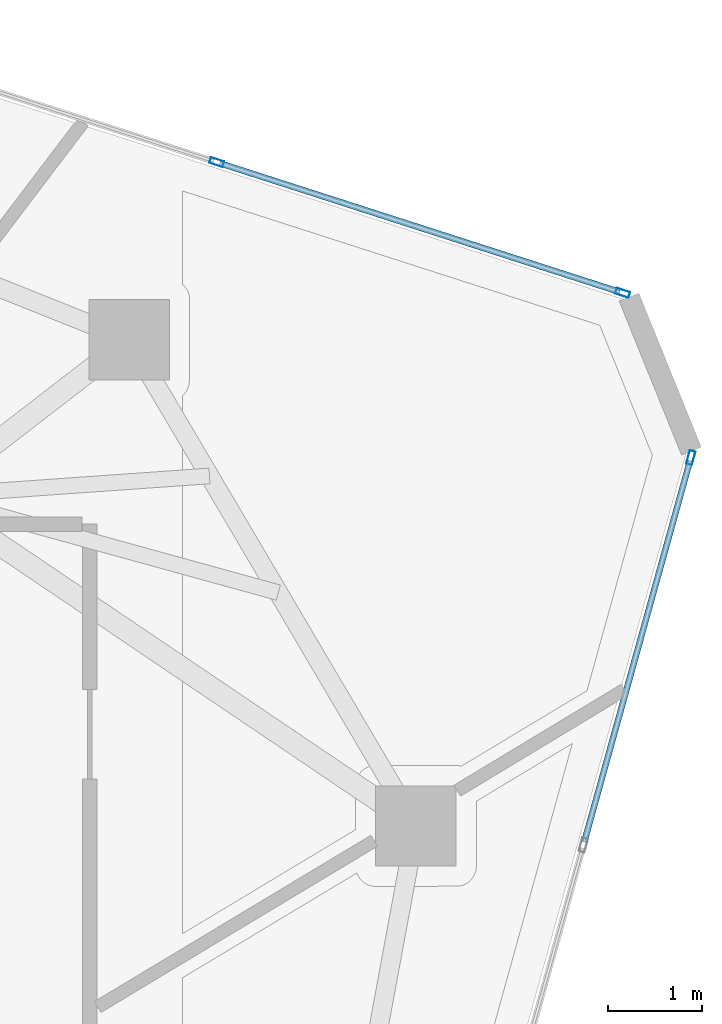
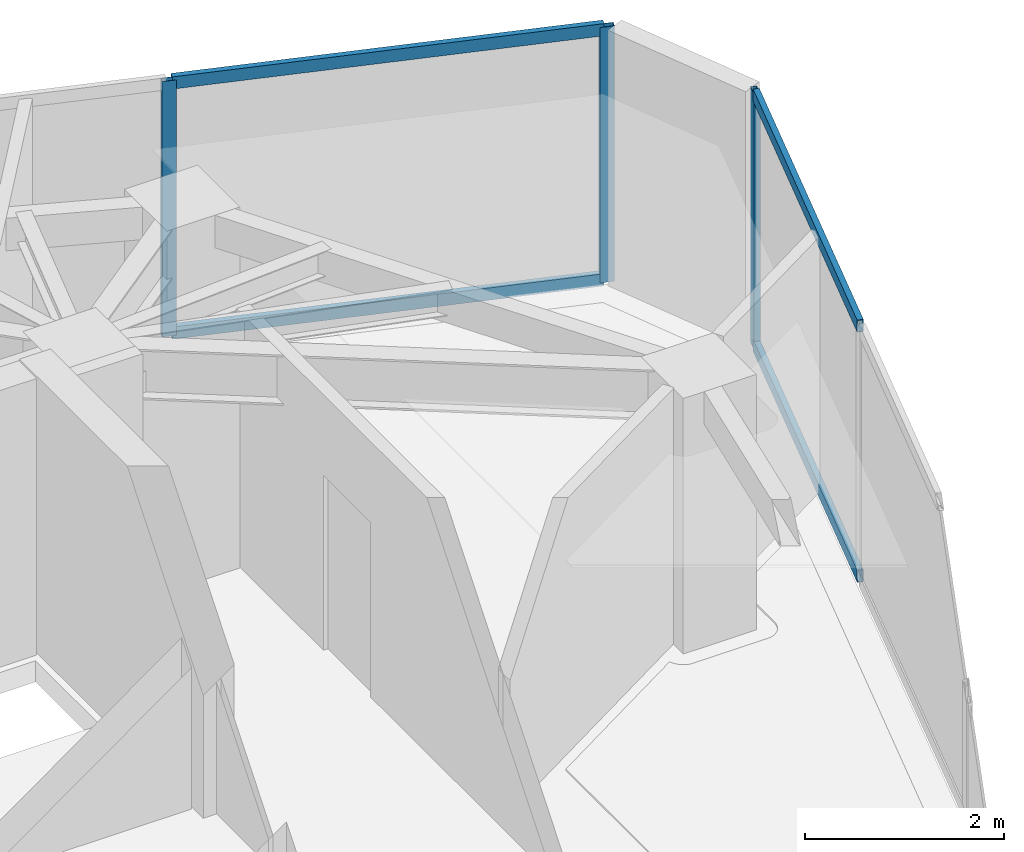
# One storey, part 14 of 20: 7 members, 2 elements without a shape of their own.
"""IFC4 building model written with IfcOpenShell, lengths in metres."""

from ifc_helpers import new_model, si_unit, direction, frame, origin, origin_2d, place, context, subcontext, project, spatial, hollow_rectangle, extrude, source, transform, mapped, material, layer, layer_set, material_profile, profile_set, type_object, type_shapes, element, aggregate, save


model = new_model("IFC4")

# Units and contexts
model_context = context("Model", 3, precision=1e-05, world=origin(), true_north=direction((0.0, 1.0)))
body_context = subcontext(model_context, "Body", "Model", "MODEL_VIEW")
ifc_project = project(units=[si_unit("LENGTHUNIT", "METRE"), si_unit("AREAUNIT", "SQUARE_METRE"), si_unit("VOLUMEUNIT", "CUBIC_METRE"), si_unit("PLANEANGLEUNIT", "RADIAN"), si_unit("MASSUNIT", "GRAM", prefix="KILO")], contexts=[model_context])

# Site, building, storey
site_placement = place(None, origin())
site = spatial("IfcSite", under=ifc_project, at=site_placement, CompositionType="ELEMENT")
building_placement = place(site_placement, origin())
building = spatial("IfcBuilding", under=site, at=building_placement, Name="Talar Marvaseh", CompositionType="ELEMENT")
storey_placement = place(building_placement, frame((0.0, 0.0, 254.39990234375)))
storey = spatial("IfcBuildingStorey", under=building, at=storey_placement, Name="L67", CompositionType="ELEMENT", Elevation=254.39990234375)

# Curtain wall, members
ifc_material = material(Name="Architectural Aluminium", Category="aluminium")
ifc_layer = layer(ifc_material, 0.179931640625)
ifc_layer_set = layer_set([ifc_layer], Name="Architectural Aluminium")
curtain_wall_type = type_object("IfcCurtainWallType", Name="Unitised High-Wind Sky Curtain Wall Z4", PredefinedType="NOTDEFINED", material=ifc_layer_set)
curtain_wall_1_placement = place(storey_placement, origin())
curtain_wall_1 = element("IfcCurtainWall", 1, at=curtain_wall_1_placement, inside=storey, type_object=curtain_wall_type, Name="L67 Unitised High-Wind Sky Curtain Wall Z4", PredefinedType="NOTDEFINED")
ifc_material_profile_1 = material_profile(ifc_material, hollow_rectangle(XDim=0.06494140625, YDim=0.14990234375, WallThickness=0.00390625, at=origin_2d()), Name="RHS150x65x4")
ifc_profile_set_1 = profile_set([ifc_material_profile_1], Name="Architectural Aluminium")
member_type_1 = type_object("IfcMemberType", Name="Unitised Curtain Wall Slim Transom RHS150x65x4", PredefinedType="USERDEFINED", material=ifc_profile_set_1)
shared_shape_1 = source(origin(), body_context, "Body", "SweptSolid", [
    extrude(hollow_rectangle(XDim=0.06494140625, YDim=0.14990234375, WallThickness=0.00390625, at=origin_2d()), origin(), (0.0, 0.0, 1.0), 4.447265625),
])
member_1_placement = place(storey_placement, frame((36.39453125, 40.419921875, 0.03271484375), z_axis=(0.951893672689, -0.306428516779, 0.0), x_axis=(0.306428516779, 0.951893672689, 0.0)))
member_1 = element("IfcMember", 2, at=member_1_placement, type_object=member_type_1, Name="CW-Z4 transom 3.1", ObjectType="TRANSOM", PredefinedType="USERDEFINED", context=body_context, shape_type="MappedRepresentation", body=[
    mapped(shared_shape_1, transform((0.0, 0.0, 0.0), x_axis=(1.0, 0.0, 0.0), y_axis=(0.0, 1.0, 0.0), z_axis=(0.0, 0.0, 1.0), scale=1.0)),
])
member_2_placement = place(storey_placement, frame((36.39453125, 40.419921875, 3.107666015625), z_axis=(0.951893672689, -0.306428516779, 0.0), x_axis=(0.306428516779, 0.951893672689, 0.0)))
member_2 = element("IfcMember", 3, at=member_2_placement, type_object=member_type_1, Name="CW-Z4 transom 3.2", ObjectType="TRANSOM", PredefinedType="USERDEFINED", context=body_context, shape_type="MappedRepresentation", body=[
    mapped(shared_shape_1, transform((0.0, 0.0, 0.0), x_axis=(1.0, 0.0, 0.0), y_axis=(0.0, 1.0, 0.0), z_axis=(0.0, 0.0, 1.0), scale=1.0)),
])

curtain_wall_2_placement = place(storey_placement, origin())
curtain_wall_2 = element("IfcCurtainWall", 4, at=curtain_wall_2_placement, inside=storey, type_object=curtain_wall_type, Name="L67 Unitised High-Wind Sky Curtain Wall Z4", PredefinedType="NOTDEFINED")
shared_shape_2 = source(origin(), body_context, "Body", "SweptSolid", [
    extrude(hollow_rectangle(XDim=0.06494140625, YDim=0.14990234375, WallThickness=0.00390625, at=origin_2d()), origin(), (0.0, 0.0, 1.0), 4.188720703125),
])
type_shapes(member_type_1, [shared_shape_1, shared_shape_2])
member_3_placement = place(storey_placement, frame((41.372314453125, 37.272216796875, 0.03271484375), z_axis=(-0.26736127015, -0.963596363227, 0.0), x_axis=(0.963596363227, -0.26736127015, 0.0)))
member_3 = element("IfcMember", 5, at=member_3_placement, type_object=member_type_1, Name="CW-Z4 transom 1.1", ObjectType="TRANSOM", PredefinedType="USERDEFINED", context=body_context, shape_type="MappedRepresentation", body=[
    mapped(shared_shape_2, transform((0.0, 0.0, 0.0), x_axis=(1.0, 0.0, 0.0), y_axis=(0.0, 1.0, 0.0), z_axis=(0.0, 0.0, 1.0), scale=1.0)),
])
member_4_placement = place(storey_placement, frame((41.372314453125, 37.272216796875, 3.107666015625), z_axis=(-0.26736127015, -0.963596363227, 0.0), x_axis=(0.963596363227, -0.26736127015, 0.0)))
member_4 = element("IfcMember", 6, at=member_4_placement, type_object=member_type_1, Name="CW-Z4 transom 1.2", ObjectType="TRANSOM", PredefinedType="USERDEFINED", context=body_context, shape_type="MappedRepresentation", body=[
    mapped(shared_shape_2, transform((0.0, 0.0, 0.0), x_axis=(1.0, 0.0, 0.0), y_axis=(0.0, 1.0, 0.0), z_axis=(0.0, 0.0, 1.0), scale=1.0)),
])

# Member
ifc_material_profile_2 = material_profile(ifc_material, hollow_rectangle(XDim=0.06494140625, YDim=0.14990234375, WallThickness=0.00390625, at=origin_2d()), Name="RHS150x65x4")
ifc_profile_set_2 = profile_set([ifc_material_profile_2], Name="Architectural Aluminium")
member_type_2 = type_object("IfcMemberType", Name="Unitised Curtain Wall Slim Mullion RHS150x65x4", PredefinedType="MULLION", material=ifc_profile_set_2)
shared_shape_3 = source(origin(), body_context, "Body", "SweptSolid", [
    extrude(hollow_rectangle(XDim=0.06494140625, YDim=0.14990234375, WallThickness=0.00390625, at=origin_2d()), origin(), (0.0, 0.0, 1.0), 3.14013671875),
])
type_shapes(member_type_2, [shared_shape_3])
member_5_placement = place(storey_placement, frame((36.363525390625, 40.429931640625, 0.0), z_axis=(0.0, 0.0, 1.0), x_axis=(0.306468293294, 0.951880867129, 0.0)))
member_5 = element("IfcMember", 7, at=member_5_placement, type_object=member_type_2, Name="CW-Z4 mullion 3", PredefinedType="MULLION", context=body_context, shape_type="MappedRepresentation", body=[
    mapped(shared_shape_3, transform((0.0, 0.0, 0.0), x_axis=(1.0, 0.0, 0.0), y_axis=(0.0, 1.0, 0.0), z_axis=(0.0, 0.0, 1.0), scale=1.0)),
])

member_6_placement = place(storey_placement, frame((40.65869140625, 39.047119140625, 0.0), z_axis=(0.0, 0.0, 1.0), x_axis=(0.306468293294, 0.951880867129, 0.0)))
member_6 = element("IfcMember", 8, at=member_6_placement, type_object=member_type_2, Name="CW-Z4 mullion 4", PredefinedType="MULLION", context=body_context, shape_type="MappedRepresentation", body=[
    mapped(shared_shape_3, transform((0.0, 0.0, 0.0), x_axis=(1.0, 0.0, 0.0), y_axis=(0.0, 1.0, 0.0), z_axis=(0.0, 0.0, 1.0), scale=1.0)),
])

aggregate(curtain_wall_1, [member_5, member_6, member_1, member_2])

member_7_placement = place(storey_placement, frame((41.381103515625, 37.303466796875, 0.0), z_axis=(0.0, 0.0, 1.0), x_axis=(0.963588318835, -0.267390261237, 0.0)))
member_7 = element("IfcMember", 9, at=member_7_placement, type_object=member_type_2, Name="CW-Z4 mullion 1", PredefinedType="MULLION", context=body_context, shape_type="MappedRepresentation", body=[
    mapped(shared_shape_3, transform((0.0, 0.0, 0.0), x_axis=(1.0, 0.0, 0.0), y_axis=(0.0, 1.0, 0.0), z_axis=(0.0, 0.0, 1.0), scale=1.0)),
])

aggregate(curtain_wall_2, [member_7, member_3, member_4])

save(model, "model.ifc")
